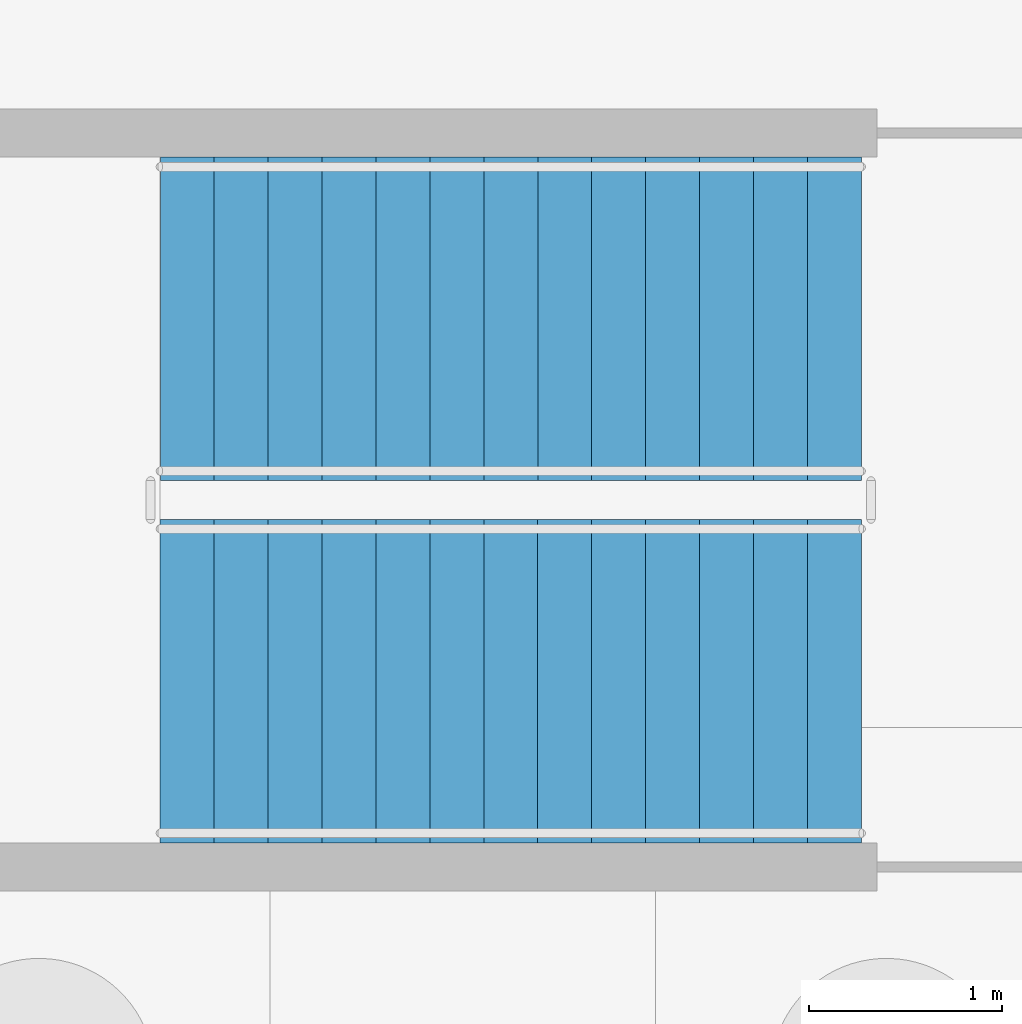
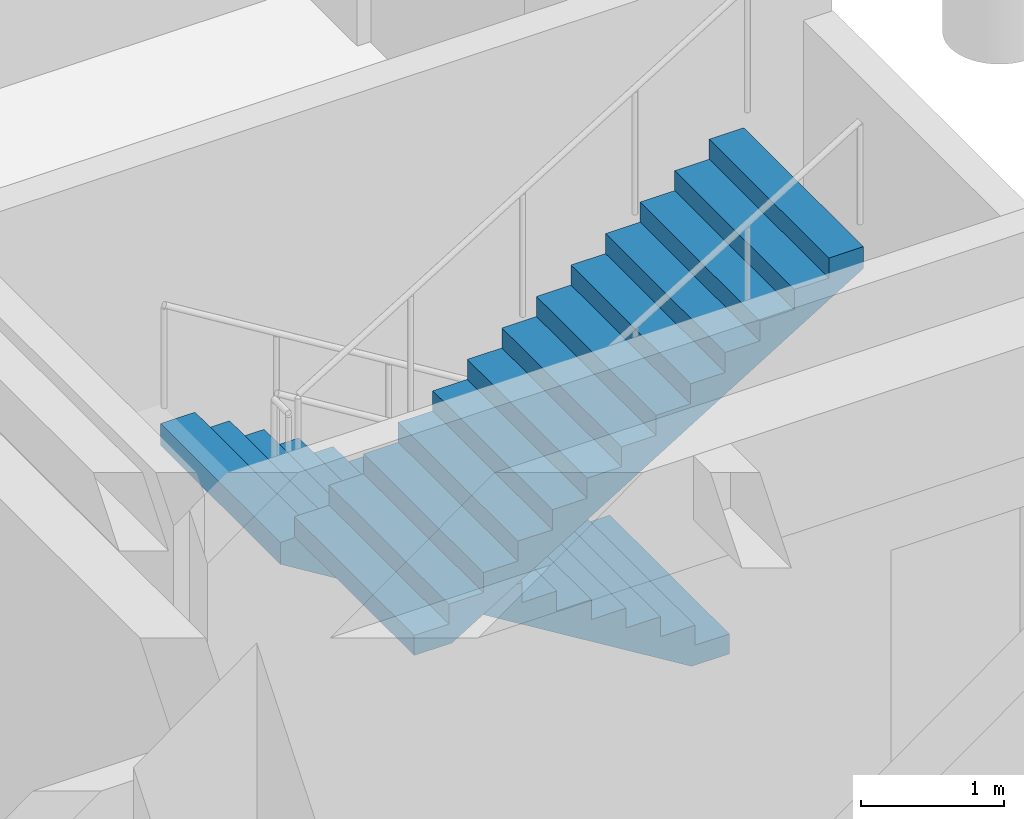
# One storey, part 29 of 38: 2 stair flights, 1 element without a shape of its own.
"""IFC4 building model written with IfcOpenShell, lengths in metres."""

from ifc_helpers import new_model, si_unit, direction, frame, origin, place, context, subcontext, project, spatial, polyline, outline, extrude, material, type_object, element, aggregate, save


model = new_model("IFC4")

# Units and contexts
model_context = context("Model", 3, precision=1e-05, world=origin(), true_north=direction((0.0, 1.0)))
body_context = subcontext(model_context, "Body", "Model", "MODEL_VIEW")
ifc_project = project(units=[si_unit("LENGTHUNIT", "METRE"), si_unit("AREAUNIT", "SQUARE_METRE"), si_unit("VOLUMEUNIT", "CUBIC_METRE"), si_unit("PLANEANGLEUNIT", "RADIAN"), si_unit("MASSUNIT", "GRAM", prefix="KILO")], contexts=[model_context])

# Site, building, storey
site_placement = place(None, origin())
site = spatial("IfcSite", under=ifc_project, at=site_placement, CompositionType="ELEMENT")
building_placement = place(site_placement, origin())
building = spatial("IfcBuilding", under=site, at=building_placement, Name="Qasida Concert Hall", CompositionType="ELEMENT")
storey_placement = place(building_placement, frame((0.0, 0.0, -4.800048828125)))
storey = spatial("IfcBuildingStorey", under=building, at=storey_placement, Name="B1", CompositionType="ELEMENT", Elevation=-4.800048828125)

# Stair, stair flights
ifc_material = material(Name="Concrete C40/50", Category="concrete")
stair_type = type_object("IfcStairType", Name="ST-DL-168", PredefinedType="HALF_TURN_STAIR", material=ifc_material)
stair_placement = place(storey_placement, origin())
stair = element("IfcStair", 1, at=stair_placement, inside=storey, type_object=stair_type, Name="B1 Exit stair ST-12", PredefinedType="HALF_TURN_STAIR")
stair_flight_type = type_object("IfcStairFlightType", Name="SF-DL-168", PredefinedType="STRAIGHT", material=ifc_material)
stair_flight_1_placement = place(storey_placement, frame((103.320068359375, 63.919921875, 0.0), z_axis=(0.0, 0.0, 1.0), x_axis=(-1.0, 0.0, 0.0)))
stair_flight_1 = element("IfcStairFlight", 2, at=stair_flight_1_placement, type_object=stair_flight_type, Name="ST-12 flight 1", NumberOfRisers=14, NumberOfTreads=13, PredefinedType="STRAIGHT", RiserHeight=0.171428571, TreadLength=0.28, context=body_context, shape_type="SweptSolid", body=[
    extrude(outline(polyline([(0.0, 0.0), (0.0, 0.17138671875), (0.280029296875, 0.17138671875), (0.280029296875, 0.3427734375), (0.56005859375, 0.3427734375), (0.56005859375, 0.514404296875), (0.840087890625, 0.514404296875), (0.840087890625, 0.685791015625), (1.1201171875, 0.685791015625), (1.1201171875, 0.857177734375), (1.39990234375, 0.857177734375), (1.39990234375, 1.028564453125), (1.679931640625, 1.028564453125), (1.679931640625, 1.199951171875), (1.9599609375, 1.199951171875), (1.9599609375, 1.371337890625), (2.239990234375, 1.371337890625), (2.239990234375, 1.54296875), (2.52001953125, 1.54296875), (2.52001953125, 1.71435546875), (2.800048828125, 1.71435546875), (2.800048828125, 1.8857421875), (3.080078125, 1.8857421875), (3.080078125, 2.05712890625), (3.360107421875, 2.05712890625), (3.360107421875, 2.228515625), (3.639892578125, 2.228515625), (3.639892578125, 2.39990234375), (3.639892578125, 2.041015625), (0.30615234375, 0.0), (0.0, 0.0)])), frame((0.0, 0.83984375, 0.0), z_axis=(0.0, -1.0, 0.0), x_axis=(1.0, 0.0, 0.0)), (0.0, 0.0, 1.0), 1.679931640625),
])
stair_flight_2_placement = place(storey_placement, frame((99.679931640625, 62.0400390625, 2.400146484375), z_axis=(0.0, 0.0, 1.0), x_axis=(1.0, 0.0, 0.0)))
stair_flight_2 = element("IfcStairFlight", 3, at=stair_flight_2_placement, type_object=stair_flight_type, Name="ST-12 flight 2", NumberOfRisers=14, NumberOfTreads=13, PredefinedType="STRAIGHT", RiserHeight=0.171428571, TreadLength=0.28, context=body_context, shape_type="SweptSolid", body=[
    extrude(outline(polyline([(0.0, 0.0), (0.0, 0.17138671875), (0.280029296875, 0.17138671875), (0.280029296875, 0.3427734375), (0.56005859375, 0.3427734375), (0.56005859375, 0.514404296875), (0.840087890625, 0.514404296875), (0.840087890625, 0.685791015625), (1.1201171875, 0.685791015625), (1.1201171875, 0.857177734375), (1.39990234375, 0.857177734375), (1.39990234375, 1.028564453125), (1.679931640625, 1.028564453125), (1.679931640625, 1.199951171875), (1.9599609375, 1.199951171875), (1.9599609375, 1.371337890625), (2.239990234375, 1.371337890625), (2.239990234375, 1.54296875), (2.52001953125, 1.54296875), (2.52001953125, 1.71435546875), (2.800048828125, 1.71435546875), (2.800048828125, 1.8857421875), (3.080078125, 1.8857421875), (3.080078125, 2.05712890625), (3.360107421875, 2.05712890625), (3.360107421875, 2.228515625), (3.639892578125, 2.228515625), (3.639892578125, 2.39990234375), (3.639892578125, 2.041015625), (0.30615234375, 0.0), (0.0, 0.0)])), frame((0.0, 0.83984375, 0.0), z_axis=(0.0, -1.0, 0.0), x_axis=(1.0, 0.0, 0.0)), (0.0, 0.0, 1.0), 1.679931640625),
])
aggregate(stair, [stair_flight_1, stair_flight_2])

save(model, "model.ifc")
